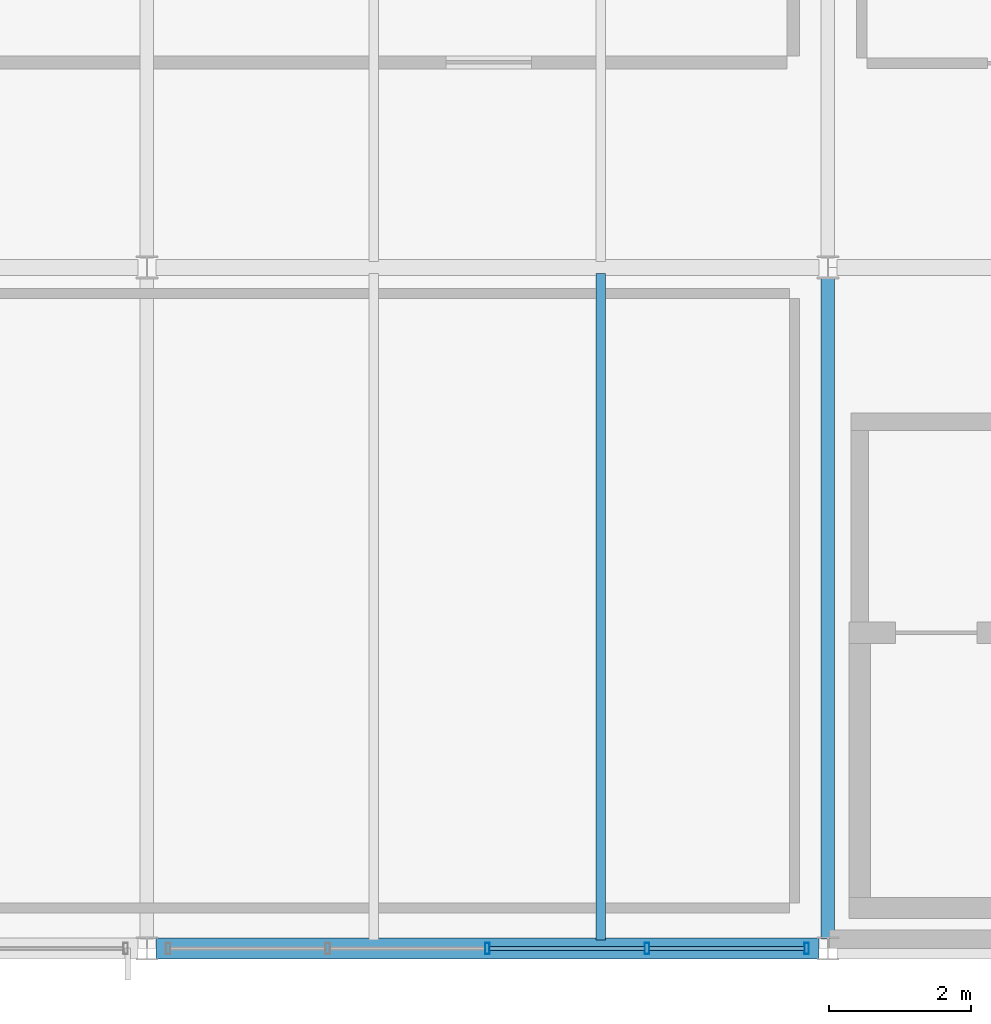
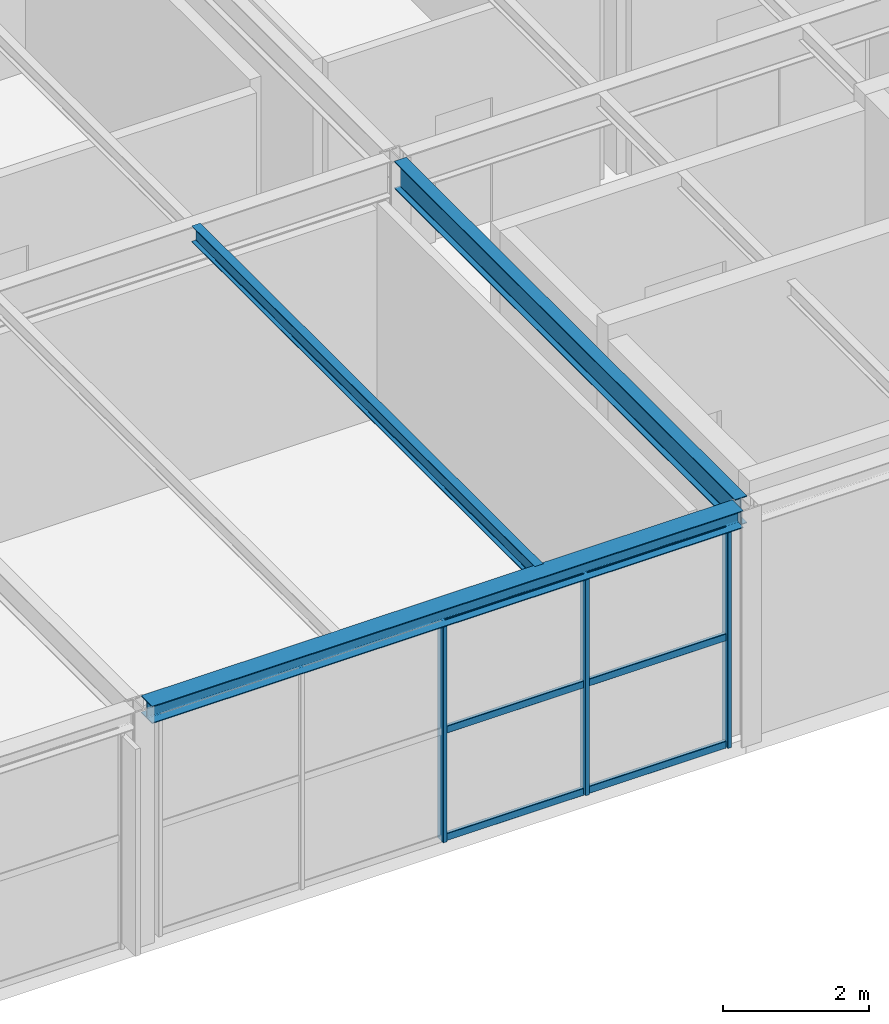
# One storey, part 34 of 50: 9 members, 3 beams, 1 element without a shape of its own.
"""IFC4 building model written with IfcOpenShell, lengths in metres."""

from ifc_helpers import new_model, si_unit, direction, frame, origin, origin_2d, place, context, subcontext, project, spatial, hollow_rectangle, i_section, extrude, material, material_profile, profile_set, type_object, element, aggregate, save


model = new_model("IFC4")

# Units and contexts
model_context = context("Model", 3, precision=1e-05, world=origin(), true_north=direction((0.0, 1.0)))
body_context = subcontext(model_context, "Body", "Model", "MODEL_VIEW")
ifc_project = project(units=[si_unit("LENGTHUNIT", "METRE"), si_unit("AREAUNIT", "SQUARE_METRE"), si_unit("VOLUMEUNIT", "CUBIC_METRE"), si_unit("PLANEANGLEUNIT", "RADIAN"), si_unit("MASSUNIT", "GRAM", prefix="KILO")], contexts=[model_context])

# Site, building, storey
site_placement = place(None, origin())
site = spatial("IfcSite", under=ifc_project, at=site_placement, CompositionType="ELEMENT")
building_placement = place(site_placement, origin())
building = spatial("IfcBuilding", under=site, at=building_placement, Name="Coralgate Yard Interchange", CompositionType="ELEMENT")
storey_placement = place(building_placement, frame((0.0, 0.0, 14.699951171875)))
storey = spatial("IfcBuildingStorey", under=building, at=storey_placement, Name="L03", CompositionType="ELEMENT", Elevation=14.699951171875)

# Beams
ifc_material_1 = material(Name="Structural steel S355J2", Category="steel")
ifc_material_profile_1 = material_profile(ifc_material_1, i_section(OverallWidth=0.1904296875, OverallDepth=0.45703125, WebThickness=0.009033203125, FlangeThickness=0.014404296875, FilletRadius=0.01025390625, at=origin_2d()), Name="UB 457x191x74")
ifc_profile_set_1 = profile_set([ifc_material_profile_1], Name="Structural steel S355J2")
beam_type_1 = type_object("IfcBeamType", Name="BM-SB-2", PredefinedType="BEAM", material=ifc_profile_set_1)
beam_1_placement = place(storey_placement, frame((76.800048828125, 0.133544921875, 3.721435546875), z_axis=(0.0, 1.0, 0.0), x_axis=(-1.0, 0.0, 0.0)))
element("IfcBeam", 1, at=beam_1_placement, inside=storey, type_object=beam_type_1, Name="L03 primary grid girder X8 Y0-1", PredefinedType="BEAM", context=body_context, shape_type="SweptSolid", body=[
    extrude(i_section(OverallWidth=0.1904296875, OverallDepth=0.45703125, WebThickness=0.009033203125, FlangeThickness=0.014404296875, FilletRadius=0.01025390625, at=origin_2d()), origin(), (0.0, 0.0, 1.0), 9.3330078125),
])
ifc_material_profile_2 = material_profile(ifc_material_1, i_section(OverallWidth=0.135009765625, OverallDepth=0.27001953125, WebThickness=0.006591796875, FlangeThickness=0.01025390625, FilletRadius=0.014892578125, at=origin_2d()), Name="IPE 270")
ifc_profile_set_2 = profile_set([ifc_material_profile_2], Name="Structural steel S355J2")
beam_type_2 = type_object("IfcBeamType", Name="BM-SJ-3", PredefinedType="JOIST", material=ifc_profile_set_2)
beam_2_placement = place(storey_placement, frame((73.60009765625, 0.1201171875, 3.81494140625), z_axis=(0.0, 1.0, 0.0), x_axis=(-1.0, 0.0, 0.0)))
element("IfcBeam", 2, at=beam_2_placement, inside=storey, type_object=beam_type_2, Name="L03 composite floor joist 7-0-2", PredefinedType="JOIST", context=body_context, shape_type="SweptSolid", body=[
    extrude(i_section(OverallWidth=0.135009765625, OverallDepth=0.27001953125, WebThickness=0.006591796875, FlangeThickness=0.01025390625, FilletRadius=0.014892578125, at=origin_2d()), origin(), (0.0, 0.0, 1.0), 9.395751953125),
])
ifc_material_profile_3 = material_profile(ifc_material_1, i_section(OverallWidth=0.300048828125, OverallDepth=0.2900390625, WebThickness=0.008544921875, FlangeThickness=0.013916015625, FilletRadius=0.027099609375, at=origin_2d()), Name="HEA 300")
ifc_profile_set_3 = profile_set([ifc_material_profile_3], Name="Structural steel S355J2")
beam_type_3 = type_object("IfcBeamType", Name="BM-SP-2", PredefinedType="SPANDREL", material=ifc_profile_set_3)
beam_3_placement = place(storey_placement, frame((67.32568359375, 0.0, 3.804931640625), z_axis=(1.0, 0.0, 0.0), x_axis=(0.0, 1.0, 0.0)))
element("IfcBeam", 3, at=beam_3_placement, inside=storey, type_object=beam_type_3, Name="L03 primary grid beam Y0 X7-8", PredefinedType="SPANDREL", context=body_context, shape_type="SweptSolid", body=[
    extrude(i_section(OverallWidth=0.300048828125, OverallDepth=0.2900390625, WebThickness=0.008544921875, FlangeThickness=0.013916015625, FilletRadius=0.027099609375, at=origin_2d()), origin(), (0.0, 0.0, 1.0), 9.3486328125),
])

# Curtain wall, members
ifc_material_2 = material(Name="Anodised coastal aluminium and solar-control low-E glass", Category="aluminium")
curtain_wall_type = type_object("IfcCurtainWallType", Name="CW-CW-L03-A", PredefinedType="NOTDEFINED", material=ifc_material_2)
curtain_wall_placement = place(storey_placement, origin())
curtain_wall = element("IfcCurtainWall", 4, at=curtain_wall_placement, inside=storey, type_object=curtain_wall_type, Name="L03 unitised curtain wall CW-L03-S-07-00", PredefinedType="NOTDEFINED")
ifc_material_3 = material(Name="Anodised coastal aluminium 6063-T6", Category="aluminium")
ifc_material_profile_4 = material_profile(ifc_material_3, hollow_rectangle(XDim=0.06494140625, YDim=0.159912109375, WallThickness=0.00390625, InnerFilletRadius=0.00390625, OuterFilletRadius=0.008056640625, at=origin_2d()), Name="ALU 65x160x4")
ifc_profile_set_4 = profile_set([ifc_material_profile_4], Name="Anodised coastal aluminium 6063-T6")
member_type_1 = type_object("IfcMemberType", Name="MB-MUL-160", PredefinedType="MULLION", material=ifc_profile_set_4)
member_1_placement = place(storey_placement, frame((76.5, 0.0, 0.0), z_axis=(0.0, 0.0, 1.0), x_axis=(1.0, 0.0, 0.0)))
member_1 = element("IfcMember", 5, at=member_1_placement, type_object=member_type_1, Name="CW-L03-S-07-00 vertical mullion 1", PredefinedType="MULLION", context=body_context, shape_type="SweptSolid", body=[
    extrude(hollow_rectangle(XDim=0.06494140625, YDim=0.159912109375, WallThickness=0.00390625, InnerFilletRadius=0.00390625, OuterFilletRadius=0.008056640625, at=origin_2d()), origin(), (0.0, 0.0, 1.0), 3.66015625),
])
member_2_placement = place(storey_placement, frame((74.25, 0.0, 0.0), z_axis=(0.0, 0.0, 1.0), x_axis=(1.0, 0.0, 0.0)))
member_2 = element("IfcMember", 6, at=member_2_placement, type_object=member_type_1, Name="CW-L03-S-07-00 vertical mullion 2", PredefinedType="MULLION", context=body_context, shape_type="SweptSolid", body=[
    extrude(hollow_rectangle(XDim=0.06494140625, YDim=0.159912109375, WallThickness=0.00390625, InnerFilletRadius=0.00390625, OuterFilletRadius=0.008056640625, at=origin_2d()), origin(), (0.0, 0.0, 1.0), 3.66015625),
])
member_3_placement = place(storey_placement, frame((72.0, 0.0, 0.0), z_axis=(0.0, 0.0, 1.0), x_axis=(1.0, 0.0, 0.0)))
member_3 = element("IfcMember", 7, at=member_3_placement, type_object=member_type_1, Name="CW-L03-S-07-00 vertical mullion 3", PredefinedType="MULLION", context=body_context, shape_type="SweptSolid", body=[
    extrude(hollow_rectangle(XDim=0.06494140625, YDim=0.159912109375, WallThickness=0.00390625, InnerFilletRadius=0.00390625, OuterFilletRadius=0.008056640625, at=origin_2d()), origin(), (0.0, 0.0, 1.0), 3.66015625),
])
ifc_material_profile_5 = material_profile(ifc_material_3, hollow_rectangle(XDim=0.06005859375, YDim=0.1201171875, WallThickness=0.00341796875, InnerFilletRadius=0.00341796875, OuterFilletRadius=0.007080078125, at=origin_2d()), Name="ALU 60x120x3.5")
ifc_profile_set_5 = profile_set([ifc_material_profile_5], Name="Anodised coastal aluminium 6063-T6")
member_type_2 = type_object("IfcMemberType", Name="MB-TRN-120", PredefinedType="USERDEFINED", material=ifc_profile_set_5)
member_4_placement = place(storey_placement, frame((76.469970703125, 0.0, 0.03515625), z_axis=(-1.0, 0.0, 0.0), x_axis=(0.0, -1.0, 0.0)))
member_4 = element("IfcMember", 8, at=member_4_placement, type_object=member_type_2, Name="CW-L03-S-07-00 horizontal transom 1-1", ObjectType="TRANSOM", PredefinedType="USERDEFINED", context=body_context, shape_type="SweptSolid", body=[
    extrude(hollow_rectangle(XDim=0.06005859375, YDim=0.1201171875, WallThickness=0.00341796875, InnerFilletRadius=0.00341796875, OuterFilletRadius=0.007080078125, at=origin_2d()), origin(), (0.0, 0.0, 1.0), 2.18994140625),
])
member_5_placement = place(storey_placement, frame((76.469970703125, 0.0, 1.830078125), z_axis=(-1.0, 0.0, 0.0), x_axis=(0.0, -1.0, 0.0)))
member_5 = element("IfcMember", 9, at=member_5_placement, type_object=member_type_2, Name="CW-L03-S-07-00 horizontal transom 1-2", ObjectType="TRANSOM", PredefinedType="USERDEFINED", context=body_context, shape_type="SweptSolid", body=[
    extrude(hollow_rectangle(XDim=0.06005859375, YDim=0.1201171875, WallThickness=0.00341796875, InnerFilletRadius=0.00341796875, OuterFilletRadius=0.007080078125, at=origin_2d()), origin(), (0.0, 0.0, 1.0), 2.18994140625),
])
member_6_placement = place(storey_placement, frame((76.469970703125, 0.0, 3.625), z_axis=(-1.0, 0.0, 0.0), x_axis=(0.0, -1.0, 0.0)))
member_6 = element("IfcMember", 10, at=member_6_placement, type_object=member_type_2, Name="CW-L03-S-07-00 horizontal transom 1-3", ObjectType="TRANSOM", PredefinedType="USERDEFINED", context=body_context, shape_type="SweptSolid", body=[
    extrude(hollow_rectangle(XDim=0.06005859375, YDim=0.1201171875, WallThickness=0.00341796875, InnerFilletRadius=0.00341796875, OuterFilletRadius=0.007080078125, at=origin_2d()), origin(), (0.0, 0.0, 1.0), 2.18994140625),
])
member_7_placement = place(storey_placement, frame((74.219970703125, 0.0, 0.03515625), z_axis=(-1.0, 0.0, 0.0), x_axis=(0.0, -1.0, 0.0)))
member_7 = element("IfcMember", 11, at=member_7_placement, type_object=member_type_2, Name="CW-L03-S-07-00 horizontal transom 2-1", ObjectType="TRANSOM", PredefinedType="USERDEFINED", context=body_context, shape_type="SweptSolid", body=[
    extrude(hollow_rectangle(XDim=0.06005859375, YDim=0.1201171875, WallThickness=0.00341796875, InnerFilletRadius=0.00341796875, OuterFilletRadius=0.007080078125, at=origin_2d()), origin(), (0.0, 0.0, 1.0), 2.18994140625),
])
member_8_placement = place(storey_placement, frame((74.219970703125, 0.0, 1.830078125), z_axis=(-1.0, 0.0, 0.0), x_axis=(0.0, -1.0, 0.0)))
member_8 = element("IfcMember", 12, at=member_8_placement, type_object=member_type_2, Name="CW-L03-S-07-00 horizontal transom 2-2", ObjectType="TRANSOM", PredefinedType="USERDEFINED", context=body_context, shape_type="SweptSolid", body=[
    extrude(hollow_rectangle(XDim=0.06005859375, YDim=0.1201171875, WallThickness=0.00341796875, InnerFilletRadius=0.00341796875, OuterFilletRadius=0.007080078125, at=origin_2d()), origin(), (0.0, 0.0, 1.0), 2.18994140625),
])
member_9_placement = place(storey_placement, frame((74.219970703125, 0.0, 3.625), z_axis=(-1.0, 0.0, 0.0), x_axis=(0.0, -1.0, 0.0)))
member_9 = element("IfcMember", 13, at=member_9_placement, type_object=member_type_2, Name="CW-L03-S-07-00 horizontal transom 2-3", ObjectType="TRANSOM", PredefinedType="USERDEFINED", context=body_context, shape_type="SweptSolid", body=[
    extrude(hollow_rectangle(XDim=0.06005859375, YDim=0.1201171875, WallThickness=0.00341796875, InnerFilletRadius=0.00341796875, OuterFilletRadius=0.007080078125, at=origin_2d()), origin(), (0.0, 0.0, 1.0), 2.18994140625),
])
aggregate(curtain_wall, [member_1, member_2, member_3, member_4, member_5, member_6, member_7, member_8, member_9])

save(model, "model.ifc")
